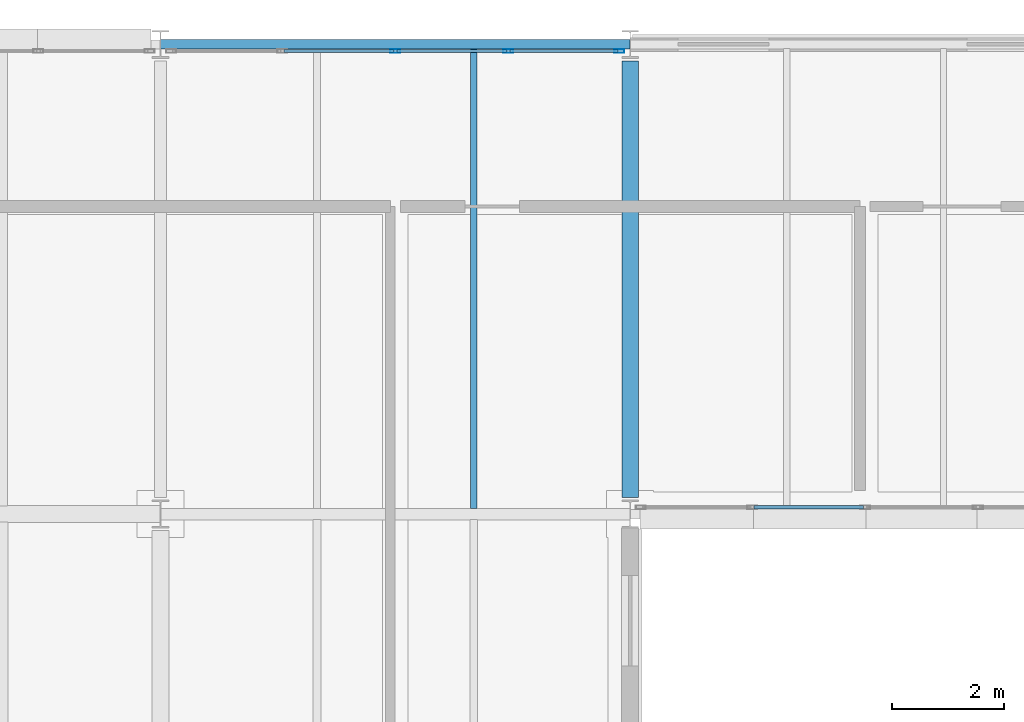
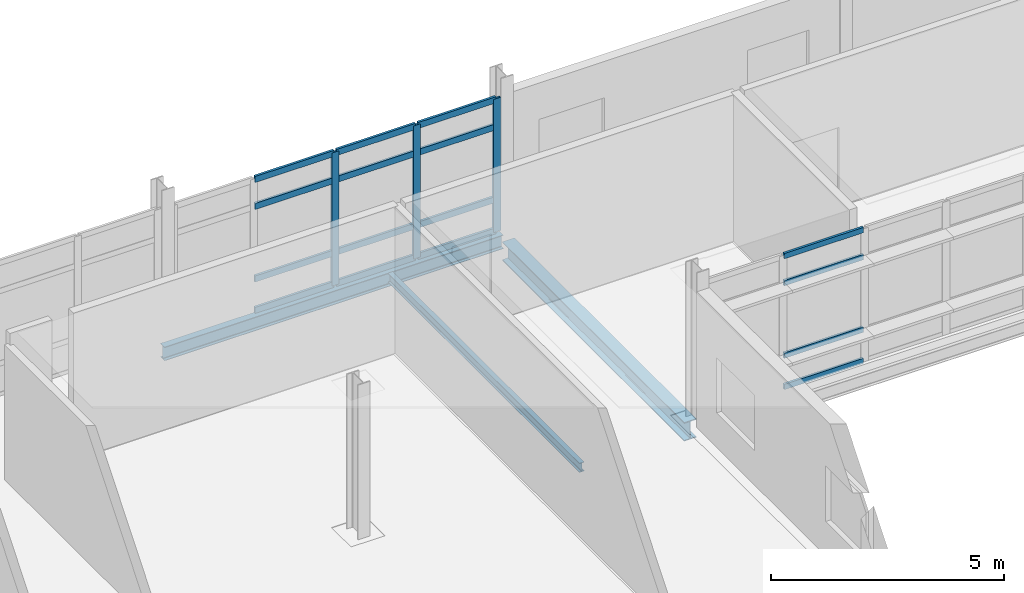
# One storey, part 83 of 151: 19 members, 3 beams, 2 elements without a shape of their own.
"""IFC4 building model written with IfcOpenShell, lengths in metres."""

from ifc_helpers import new_model, si_unit, direction, frame, origin, origin_2d, place, context, subcontext, project, spatial, hollow_rectangle, i_section, extrude, material, material_profile, profile_set, type_object, element, aggregate, save


model = new_model("IFC4")

# Units and contexts
model_context = context("Model", 3, precision=1e-05, world=origin(), true_north=direction((0.0, 1.0)))
body_context = subcontext(model_context, "Body", "Model", "MODEL_VIEW")
ifc_project = project(units=[si_unit("LENGTHUNIT", "METRE"), si_unit("AREAUNIT", "SQUARE_METRE"), si_unit("VOLUMEUNIT", "CUBIC_METRE"), si_unit("PLANEANGLEUNIT", "RADIAN"), si_unit("MASSUNIT", "GRAM", prefix="KILO")], contexts=[model_context])

# Site, building, storey
site_placement = place(None, origin())
site = spatial("IfcSite", under=ifc_project, at=site_placement, CompositionType="ELEMENT")
building_placement = place(site_placement, origin())
building = spatial("IfcBuilding", under=site, at=building_placement, Name="Mersafa Astral City Hall", CompositionType="ELEMENT")
storey_placement = place(building_placement, frame((0.0, 0.0, 9.89990234375)))
storey = spatial("IfcBuildingStorey", under=building, at=storey_placement, Name="L02", CompositionType="ELEMENT", Elevation=9.89990234375)

# Curtain wall, members
ifc_material_1 = material(Name="Anodised bronze aluminium framing", Category="aluminium")
curtain_wall_type_1 = type_object("IfcCurtainWallType", Name="ENV-CW-3", PredefinedType="USERDEFINED", material=ifc_material_1)
curtain_wall_1_placement = place(storey_placement, origin())
curtain_wall_1 = element("IfcCurtainWall", 1, at=curtain_wall_1_placement, inside=storey, type_object=curtain_wall_type_1, Name="L02 Unitised solar curtain wall 128", ObjectType="UNITISED CURTAIN WALL", PredefinedType="USERDEFINED")
ifc_material_profile_1 = material_profile(ifc_material_1, hollow_rectangle(XDim=0.06005859375, YDim=0.179931640625, WallThickness=0.00390625, at=origin_2d()), Name="RHS 60x180x4")
ifc_profile_set_1 = profile_set([ifc_material_profile_1], Name="Anodised bronze aluminium framing")
member_type_1 = type_object("IfcMemberType", Name="ENV-CW-MUL-1", PredefinedType="MULLION", material=ifc_profile_set_1)
member_1_placement = place(storey_placement, frame((117.407958984375, 125.8798828125, -0.001953125), z_axis=(0.0, 0.0, 1.0), x_axis=(0.0, -1.0, 0.0)))
member_1 = element("IfcMember", 2, at=member_1_placement, type_object=member_type_1, Name="CW-3 mullion 1", PredefinedType="MULLION", context=body_context, shape_type="SweptSolid", body=[
    extrude(hollow_rectangle(XDim=0.06005859375, YDim=0.179931640625, WallThickness=0.00390625, at=origin_2d()), origin(), (0.0, 0.0, 1.0), 3.489013671875),
])
member_2_placement = place(storey_placement, frame((115.4189453125, 125.8798828125, -0.001953125), z_axis=(0.0, 0.0, 1.0), x_axis=(0.0, -1.0, 0.0)))
member_2 = element("IfcMember", 3, at=member_2_placement, type_object=member_type_1, Name="CW-3 mullion 2", PredefinedType="MULLION", context=body_context, shape_type="SweptSolid", body=[
    extrude(hollow_rectangle(XDim=0.06005859375, YDim=0.179931640625, WallThickness=0.00390625, at=origin_2d()), origin(), (0.0, 0.0, 1.0), 3.489013671875),
])
member_3_placement = place(storey_placement, frame((113.39990234375, 125.8798828125, -0.001953125), z_axis=(0.0, 0.0, 1.0), x_axis=(0.0, -1.0, 0.0)))
member_3 = element("IfcMember", 4, at=member_3_placement, type_object=member_type_1, Name="CW-3 mullion 3", PredefinedType="MULLION", context=body_context, shape_type="SweptSolid", body=[
    extrude(hollow_rectangle(XDim=0.06005859375, YDim=0.179931640625, WallThickness=0.00390625, at=origin_2d()), origin(), (0.0, 0.0, 1.0), 3.489013671875),
])

curtain_wall_type_2 = type_object("IfcCurtainWallType", Name="ENV-CW-4", PredefinedType="USERDEFINED", material=ifc_material_1)
curtain_wall_2_placement = place(storey_placement, origin())
curtain_wall_2 = element("IfcCurtainWall", 5, at=curtain_wall_2_placement, inside=storey, type_object=curtain_wall_type_2, Name="L02 Unitised solar curtain wall 117", ObjectType="UNITISED CURTAIN WALL", PredefinedType="USERDEFINED")
ifc_material_profile_2 = material_profile(ifc_material_1, hollow_rectangle(XDim=0.06005859375, YDim=0.139892578125, WallThickness=0.00390625, at=origin_2d()), Name="RHS 60x140x4")
ifc_profile_set_2 = profile_set([ifc_material_profile_2], Name="Anodised bronze aluminium framing")
member_type_2 = type_object("IfcMemberType", Name="ENV-CW-TRN-1", PredefinedType="USERDEFINED", material=ifc_profile_set_2)
member_4_placement = place(storey_placement, frame((119.81103515625, 117.719970703125, 0.028076171875), z_axis=(1.0, 0.0, 0.0), x_axis=(0.0, 1.0, 0.0)))
member_4 = element("IfcMember", 6, at=member_4_placement, type_object=member_type_2, Name="CW-4 transom 2.1", ObjectType="TRANSOM", PredefinedType="USERDEFINED", context=body_context, shape_type="SweptSolid", body=[
    extrude(hollow_rectangle(XDim=0.06005859375, YDim=0.139892578125, WallThickness=0.00390625, at=origin_2d()), origin(), (0.0, 0.0, 1.0), 1.958984375),
])
member_5_placement = place(storey_placement, frame((119.81103515625, 117.719970703125, 0.85009765625), z_axis=(1.0, 0.0, 0.0), x_axis=(0.0, 1.0, 0.0)))
member_5 = element("IfcMember", 7, at=member_5_placement, type_object=member_type_2, Name="CW-4 transom 2.2", ObjectType="TRANSOM", PredefinedType="USERDEFINED", context=body_context, shape_type="SweptSolid", body=[
    extrude(hollow_rectangle(XDim=0.06005859375, YDim=0.139892578125, WallThickness=0.00390625, at=origin_2d()), origin(), (0.0, 0.0, 1.0), 1.958984375),
])
member_6_placement = place(storey_placement, frame((119.81103515625, 117.719970703125, 2.75), z_axis=(1.0, 0.0, 0.0), x_axis=(0.0, 1.0, 0.0)))
member_6 = element("IfcMember", 8, at=member_6_placement, type_object=member_type_2, Name="CW-4 transom 2.3", ObjectType="TRANSOM", PredefinedType="USERDEFINED", context=body_context, shape_type="SweptSolid", body=[
    extrude(hollow_rectangle(XDim=0.06005859375, YDim=0.139892578125, WallThickness=0.00390625, at=origin_2d()), origin(), (0.0, 0.0, 1.0), 1.958984375),
])
member_7_placement = place(storey_placement, frame((119.81103515625, 117.719970703125, 3.45703125), z_axis=(1.0, 0.0, 0.0), x_axis=(0.0, 1.0, 0.0)))
member_7 = element("IfcMember", 9, at=member_7_placement, type_object=member_type_2, Name="CW-4 transom 2.4", ObjectType="TRANSOM", PredefinedType="USERDEFINED", context=body_context, shape_type="SweptSolid", body=[
    extrude(hollow_rectangle(XDim=0.06005859375, YDim=0.139892578125, WallThickness=0.00390625, at=origin_2d()), origin(), (0.0, 0.0, 1.0), 1.958984375),
])
aggregate(curtain_wall_2, [member_4, member_5, member_6, member_7])

# Member
ifc_material_profile_3 = material_profile(ifc_material_1, hollow_rectangle(XDim=0.06005859375, YDim=0.159912109375, WallThickness=0.00390625, at=origin_2d()), Name="RHS 60x160x4")
ifc_profile_set_3 = profile_set([ifc_material_profile_3], Name="Anodised bronze aluminium framing")
member_type_3 = type_object("IfcMemberType", Name="ENV-CW-TRN-2", PredefinedType="USERDEFINED", material=ifc_profile_set_3)
member_8_placement = place(storey_placement, frame((117.3779296875, 125.8798828125, 0.028076171875), z_axis=(-1.0, 0.0, 0.0), x_axis=(0.0, -1.0, 0.0)))
member_8 = element("IfcMember", 10, at=member_8_placement, type_object=member_type_3, Name="CW-3 transom 1.1", ObjectType="TRANSOM", PredefinedType="USERDEFINED", context=body_context, shape_type="SweptSolid", body=[
    extrude(hollow_rectangle(XDim=0.06005859375, YDim=0.159912109375, WallThickness=0.00390625, at=origin_2d()), origin(), (0.0, 0.0, 1.0), 1.928955078125),
])

member_9_placement = place(storey_placement, frame((117.3779296875, 125.8798828125, 0.85009765625), z_axis=(-1.0, 0.0, 0.0), x_axis=(0.0, -1.0, 0.0)))
member_9 = element("IfcMember", 11, at=member_9_placement, type_object=member_type_3, Name="CW-3 transom 1.2", ObjectType="TRANSOM", PredefinedType="USERDEFINED", context=body_context, shape_type="SweptSolid", body=[
    extrude(hollow_rectangle(XDim=0.06005859375, YDim=0.159912109375, WallThickness=0.00390625, at=origin_2d()), origin(), (0.0, 0.0, 1.0), 1.928955078125),
])

member_10_placement = place(storey_placement, frame((117.3779296875, 125.8798828125, 2.75), z_axis=(-1.0, 0.0, 0.0), x_axis=(0.0, -1.0, 0.0)))
member_10 = element("IfcMember", 12, at=member_10_placement, type_object=member_type_3, Name="CW-3 transom 1.3", ObjectType="TRANSOM", PredefinedType="USERDEFINED", context=body_context, shape_type="SweptSolid", body=[
    extrude(hollow_rectangle(XDim=0.06005859375, YDim=0.159912109375, WallThickness=0.00390625, at=origin_2d()), origin(), (0.0, 0.0, 1.0), 1.928955078125),
])

member_11_placement = place(storey_placement, frame((117.3779296875, 125.8798828125, 3.45703125), z_axis=(-1.0, 0.0, 0.0), x_axis=(0.0, -1.0, 0.0)))
member_11 = element("IfcMember", 13, at=member_11_placement, type_object=member_type_3, Name="CW-3 transom 1.4", ObjectType="TRANSOM", PredefinedType="USERDEFINED", context=body_context, shape_type="SweptSolid", body=[
    extrude(hollow_rectangle(XDim=0.06005859375, YDim=0.159912109375, WallThickness=0.00390625, at=origin_2d()), origin(), (0.0, 0.0, 1.0), 1.928955078125),
])

member_12_placement = place(storey_placement, frame((115.388916015625, 125.8798828125, 0.028076171875), z_axis=(-1.0, 0.0, 0.0), x_axis=(0.0, -1.0, 0.0)))
member_12 = element("IfcMember", 14, at=member_12_placement, type_object=member_type_3, Name="CW-3 transom 2.1", ObjectType="TRANSOM", PredefinedType="USERDEFINED", context=body_context, shape_type="SweptSolid", body=[
    extrude(hollow_rectangle(XDim=0.06005859375, YDim=0.159912109375, WallThickness=0.00390625, at=origin_2d()), origin(), (0.0, 0.0, 1.0), 1.958984375),
])

member_13_placement = place(storey_placement, frame((115.388916015625, 125.8798828125, 0.85009765625), z_axis=(-1.0, 0.0, 0.0), x_axis=(0.0, -1.0, 0.0)))
member_13 = element("IfcMember", 15, at=member_13_placement, type_object=member_type_3, Name="CW-3 transom 2.2", ObjectType="TRANSOM", PredefinedType="USERDEFINED", context=body_context, shape_type="SweptSolid", body=[
    extrude(hollow_rectangle(XDim=0.06005859375, YDim=0.159912109375, WallThickness=0.00390625, at=origin_2d()), origin(), (0.0, 0.0, 1.0), 1.958984375),
])

member_14_placement = place(storey_placement, frame((115.388916015625, 125.8798828125, 2.75), z_axis=(-1.0, 0.0, 0.0), x_axis=(0.0, -1.0, 0.0)))
member_14 = element("IfcMember", 16, at=member_14_placement, type_object=member_type_3, Name="CW-3 transom 2.3", ObjectType="TRANSOM", PredefinedType="USERDEFINED", context=body_context, shape_type="SweptSolid", body=[
    extrude(hollow_rectangle(XDim=0.06005859375, YDim=0.159912109375, WallThickness=0.00390625, at=origin_2d()), origin(), (0.0, 0.0, 1.0), 1.958984375),
])

member_15_placement = place(storey_placement, frame((115.388916015625, 125.8798828125, 3.45703125), z_axis=(-1.0, 0.0, 0.0), x_axis=(0.0, -1.0, 0.0)))
member_15 = element("IfcMember", 17, at=member_15_placement, type_object=member_type_3, Name="CW-3 transom 2.4", ObjectType="TRANSOM", PredefinedType="USERDEFINED", context=body_context, shape_type="SweptSolid", body=[
    extrude(hollow_rectangle(XDim=0.06005859375, YDim=0.159912109375, WallThickness=0.00390625, at=origin_2d()), origin(), (0.0, 0.0, 1.0), 1.958984375),
])

member_16_placement = place(storey_placement, frame((113.3701171875, 125.8798828125, 0.028076171875), z_axis=(-1.0, 0.0, 0.0), x_axis=(0.0, -1.0, 0.0)))
member_16 = element("IfcMember", 18, at=member_16_placement, type_object=member_type_3, Name="CW-3 transom 3.1", ObjectType="TRANSOM", PredefinedType="USERDEFINED", context=body_context, shape_type="SweptSolid", body=[
    extrude(hollow_rectangle(XDim=0.06005859375, YDim=0.159912109375, WallThickness=0.00390625, at=origin_2d()), origin(), (0.0, 0.0, 1.0), 1.959228515625),
])

member_17_placement = place(storey_placement, frame((113.3701171875, 125.8798828125, 0.85009765625), z_axis=(-1.0, 0.0, 0.0), x_axis=(0.0, -1.0, 0.0)))
member_17 = element("IfcMember", 19, at=member_17_placement, type_object=member_type_3, Name="CW-3 transom 3.2", ObjectType="TRANSOM", PredefinedType="USERDEFINED", context=body_context, shape_type="SweptSolid", body=[
    extrude(hollow_rectangle(XDim=0.06005859375, YDim=0.159912109375, WallThickness=0.00390625, at=origin_2d()), origin(), (0.0, 0.0, 1.0), 1.959228515625),
])

member_18_placement = place(storey_placement, frame((113.3701171875, 125.8798828125, 2.75), z_axis=(-1.0, 0.0, 0.0), x_axis=(0.0, -1.0, 0.0)))
member_18 = element("IfcMember", 20, at=member_18_placement, type_object=member_type_3, Name="CW-3 transom 3.3", ObjectType="TRANSOM", PredefinedType="USERDEFINED", context=body_context, shape_type="SweptSolid", body=[
    extrude(hollow_rectangle(XDim=0.06005859375, YDim=0.159912109375, WallThickness=0.00390625, at=origin_2d()), origin(), (0.0, 0.0, 1.0), 1.959228515625),
])

member_19_placement = place(storey_placement, frame((113.3701171875, 125.8798828125, 3.45703125), z_axis=(-1.0, 0.0, 0.0), x_axis=(0.0, -1.0, 0.0)))
member_19 = element("IfcMember", 21, at=member_19_placement, type_object=member_type_3, Name="CW-3 transom 3.4", ObjectType="TRANSOM", PredefinedType="USERDEFINED", context=body_context, shape_type="SweptSolid", body=[
    extrude(hollow_rectangle(XDim=0.06005859375, YDim=0.159912109375, WallThickness=0.00390625, at=origin_2d()), origin(), (0.0, 0.0, 1.0), 1.959228515625),
])

aggregate(curtain_wall_1, [member_1, member_2, member_3, member_8, member_9, member_10, member_11, member_12, member_13, member_14, member_15, member_16, member_17, member_18, member_19])

# Beams
ifc_material_2 = material(Name="Steel S355", Category="steel")
ifc_material_profile_4 = material_profile(ifc_material_2, i_section(OverallWidth=0.300048828125, OverallDepth=0.489990234375, WebThickness=0.011962890625, FlangeThickness=0.02294921875, FilletRadius=0.027099609375, at=origin_2d()), Name="HEA 500")
ifc_profile_set_4 = profile_set([ifc_material_profile_4], Name="Steel S355")
beam_type_1 = type_object("IfcBeamType", Name="STR-BM-HEA500", PredefinedType="BEAM", material=ifc_profile_set_4)
beam_1_placement = place(storey_placement, frame((117.60009765625, 117.89501953125, -0.44482421875), z_axis=(0.0, 1.0, 0.0), x_axis=(-1.0, 0.0, 0.0)))
element("IfcBeam", 22, at=beam_1_placement, inside=storey, type_object=beam_type_1, Name="L02 Primary girder Y 14-14", PredefinedType="BEAM", context=body_context, shape_type="SweptSolid", body=[
    extrude(i_section(OverallWidth=0.300048828125, OverallDepth=0.489990234375, WebThickness=0.011962890625, FlangeThickness=0.02294921875, FilletRadius=0.027099609375, at=origin_2d()), origin(), (0.0, 0.0, 1.0), 7.81005859375),
])
ifc_material_profile_5 = material_profile(ifc_material_2, i_section(OverallWidth=0.1201171875, OverallDepth=0.239990234375, WebThickness=0.006103515625, FlangeThickness=0.009765625, FilletRadius=0.014892578125, at=origin_2d()), Name="IPE 240")
ifc_profile_set_5 = profile_set([ifc_material_profile_5], Name="Steel S355")
beam_type_2 = type_object("IfcBeamType", Name="STR-BM-JOIST-IPE240", PredefinedType="JOIST", material=ifc_profile_set_5)
beam_2_placement = place(storey_placement, frame((114.800048828125, 117.699951171875, -0.31982421875), z_axis=(0.0, 1.0, 0.0), x_axis=(-1.0, 0.0, 0.0)))
element("IfcBeam", 23, at=beam_2_placement, inside=storey, type_object=beam_type_2, Name="L02 Composite secondary floor joist 493", PredefinedType="JOIST", context=body_context, shape_type="SweptSolid", body=[
    extrude(i_section(OverallWidth=0.1201171875, OverallDepth=0.239990234375, WebThickness=0.006103515625, FlangeThickness=0.009765625, FilletRadius=0.014892578125, at=origin_2d()), origin(), (0.0, 0.0, 1.0), 8.219970703125),
])
ifc_material_profile_6 = material_profile(ifc_material_2, i_section(OverallWidth=0.169921875, OverallDepth=0.360107421875, WebThickness=0.008056640625, FlangeThickness=0.0126953125, FilletRadius=0.01806640625, at=origin_2d()), Name="IPE 360")
ifc_profile_set_6 = profile_set([ifc_material_profile_6], Name="Steel S355")
beam_type_3 = type_object("IfcBeamType", Name="STR-BM-SPANDREL-IPE360", PredefinedType="SPANDREL", material=ifc_profile_set_6)
beam_3_placement = place(storey_placement, frame((109.202880859375, 126.0, -0.3798828125), z_axis=(1.0, 0.0, 0.0), x_axis=(0.0, 1.0, 0.0)))
element("IfcBeam", 24, at=beam_3_placement, inside=storey, type_object=beam_type_3, Name="L02 Primary girder X 13-15", PredefinedType="SPANDREL", context=body_context, shape_type="SweptSolid", body=[
    extrude(i_section(OverallWidth=0.169921875, OverallDepth=0.360107421875, WebThickness=0.008056640625, FlangeThickness=0.0126953125, FilletRadius=0.01806640625, at=origin_2d()), origin(), (0.0, 0.0, 1.0), 8.39404296875),
])

save(model, "model.ifc")
